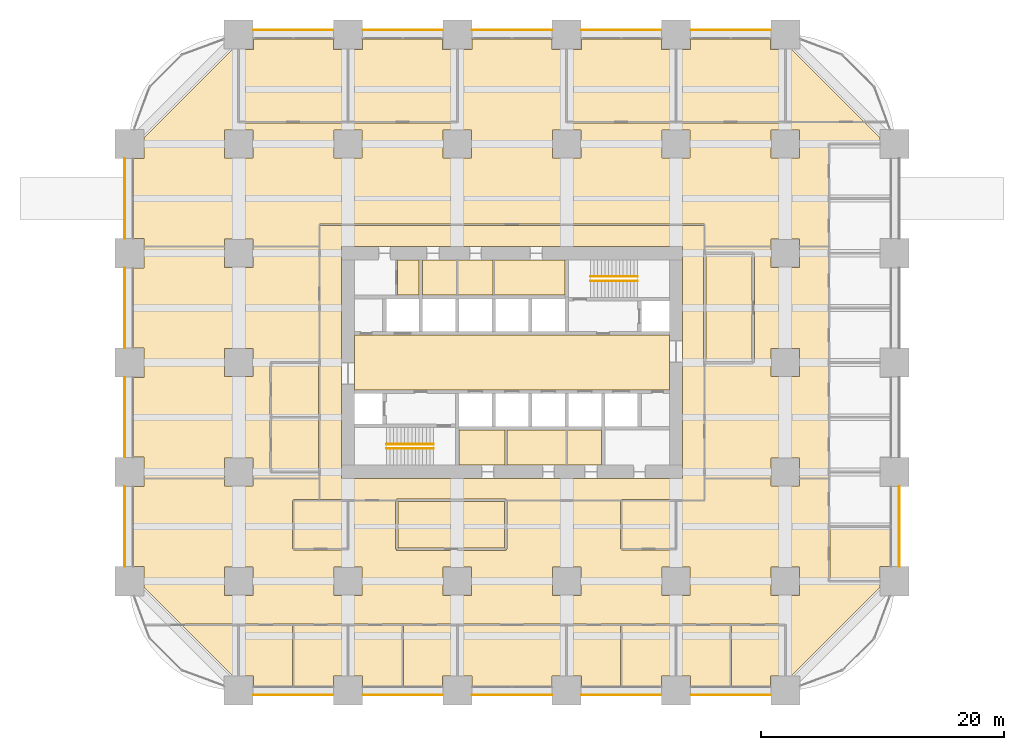
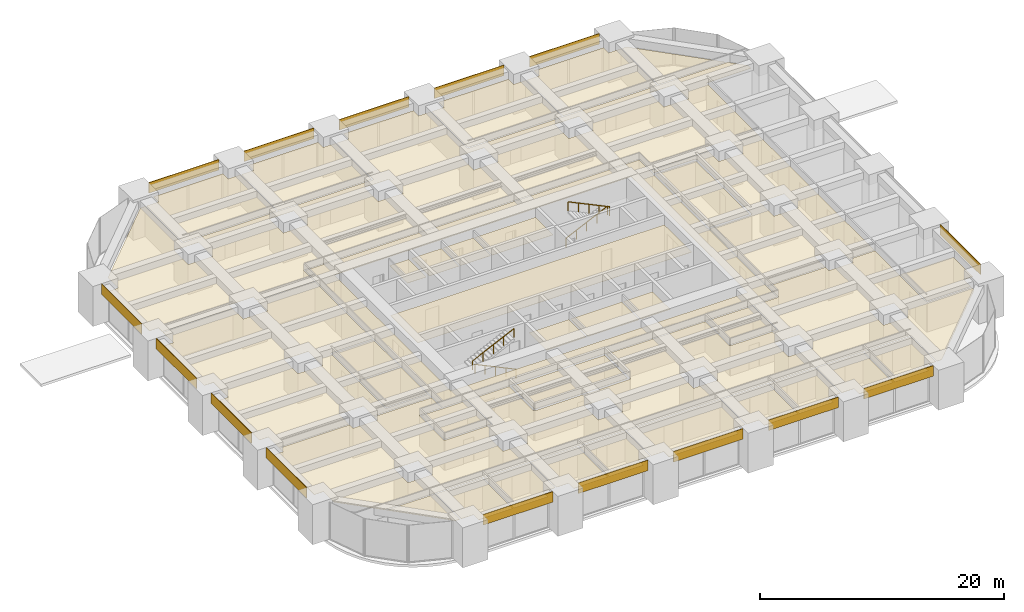
# One storey, part 38 of 39: 50 coverings, 4 railings.
"""IFC4 building model written with IfcOpenShell, lengths in metres."""

from ifc_helpers import new_model, si_unit, direction, frame, frame_2d, origin, origin_2d, place, context, subcontext, project, spatial, polyline, rectangle, circle, outline, extrude, material, layer, layer_set, type_object, element, save


model = new_model("IFC4")

# Units and contexts
model_context = context("Model", 3, precision=1e-05, world=origin(), true_north=direction((0.0, 1.0)))
body_context = subcontext(model_context, "Body", "Model", "MODEL_VIEW")
ifc_project = project(units=[si_unit("LENGTHUNIT", "METRE"), si_unit("AREAUNIT", "SQUARE_METRE"), si_unit("VOLUMEUNIT", "CUBIC_METRE"), si_unit("PLANEANGLEUNIT", "RADIAN"), si_unit("MASSUNIT", "GRAM", prefix="KILO")], contexts=[model_context])

# Site, building, storey
site_placement = place(None, origin())
site = spatial("IfcSite", under=ifc_project, at=site_placement, CompositionType="ELEMENT")
building_placement = place(site_placement, origin())
building = spatial("IfcBuilding", under=site, at=building_placement, Name="Zorevar Civic Tower", CompositionType="ELEMENT")
storey_placement = place(building_placement, frame((0.0, 0.0, 19.800048828125)))
storey = spatial("IfcBuildingStorey", under=building, at=storey_placement, Name="L04", CompositionType="ELEMENT", Elevation=19.800048828125)

# Railings
ifc_material_1 = material(Name="Black steel handrail", Category="steel")
railing_type = type_object("IfcRailingType", Name="Handrail HR1 900", PredefinedType="HANDRAIL", material=ifc_material_1)
railing_1_placement = place(storey_placement, frame((25.050048828125, 19.925048828125, 0.142822265625)))
element("IfcRailing", 1, at=railing_1_placement, inside=storey, type_object=railing_type, Name="Handrail HR1 ST1 L04", PredefinedType="HANDRAIL", context=body_context, shape_type="SweptSolid", body=[
    extrude(circle(Radius=0.02392578125, at=origin_2d()), frame((0.0, 0.0, 0.8759765625), z_axis=(-0.902863652845, 0.0, 0.429926998885), x_axis=(0.0, -1.0, 0.0)), (0.0, 0.0, 1.0), 4.31982421875),
    extrude(circle(Radius=0.02099609375, at=origin_2d()), origin(), (0.0, 0.0, 1.0), 0.851806640625),
    extrude(circle(Radius=0.02099609375, at=origin_2d()), frame((-0.97509765625, 0.0, 0.46435546875)), (0.0, 0.0, 1.0), 0.851806640625),
    extrude(circle(Radius=0.02099609375, at=origin_2d()), frame((-1.9501953125, 0.0, 0.9287109375)), (0.0, 0.0, 1.0), 0.851806640625),
    extrude(circle(Radius=0.02099609375, at=origin_2d()), frame((-2.925048828125, 0.0, 1.392822265625)), (0.0, 0.0, 1.0), 0.851806640625),
    extrude(circle(Radius=0.02099609375, at=origin_2d()), frame((-3.900146484375, 0.0, 1.857177734375)), (0.0, 0.0, 1.0), 0.851806640625),
])
for number, where, name in (
    (2, (21.14990234375, 20.27490234375, 2.142822265625), "Handrail HR1 ST1 L04"),
    (3, (37.949951171875, 34.074951171875, 0.142822265625), "Handrail HR1 ST2 L04"),
):
    element("IfcRailing", number, at=place(storey_placement, frame(where)), inside=storey, type_object=railing_type, Name=name, PredefinedType="HANDRAIL", context=body_context, shape_type="SweptSolid", body=[
        extrude(circle(Radius=0.02392578125, at=origin_2d()), frame((0.0, 0.0, 0.8759765625), z_axis=(0.902863652845, 0.0, 0.429926998885), x_axis=(0.0, 1.0, 0.0)), (0.0, 0.0, 1.0), 4.31982421875),
        extrude(circle(Radius=0.02099609375, at=origin_2d()), origin(), (0.0, 0.0, 1.0), 0.851806640625),
        extrude(circle(Radius=0.02099609375, at=origin_2d()), frame((0.97509765625, 0.0, 0.46435546875)), (0.0, 0.0, 1.0), 0.851806640625),
        extrude(circle(Radius=0.02099609375, at=origin_2d()), frame((1.9501953125, 0.0, 0.9287109375)), (0.0, 0.0, 1.0), 0.851806640625),
        extrude(circle(Radius=0.02099609375, at=origin_2d()), frame((2.925048828125, 0.0, 1.392822265625)), (0.0, 0.0, 1.0), 0.851806640625),
        extrude(circle(Radius=0.02099609375, at=origin_2d()), frame((3.900146484375, 0.0, 1.857177734375)), (0.0, 0.0, 1.0), 0.851806640625),
    ])
railing_2_placement = place(storey_placement, frame((41.85009765625, 33.72509765625, 2.142822265625)))
element("IfcRailing", 4, at=railing_2_placement, inside=storey, type_object=railing_type, Name="Handrail HR1 ST2 L04", PredefinedType="HANDRAIL", context=body_context, shape_type="SweptSolid", body=[
    extrude(circle(Radius=0.02392578125, at=origin_2d()), frame((0.0, 0.0, 0.8759765625), z_axis=(-0.902863652845, 0.0, 0.429926998885), x_axis=(0.0, -1.0, 0.0)), (0.0, 0.0, 1.0), 4.31982421875),
    extrude(circle(Radius=0.02099609375, at=origin_2d()), origin(), (0.0, 0.0, 1.0), 0.851806640625),
    extrude(circle(Radius=0.02099609375, at=origin_2d()), frame((-0.97509765625, 0.0, 0.46435546875)), (0.0, 0.0, 1.0), 0.851806640625),
    extrude(circle(Radius=0.02099609375, at=origin_2d()), frame((-1.9501953125, 0.0, 0.9287109375)), (0.0, 0.0, 1.0), 0.851806640625),
    extrude(circle(Radius=0.02099609375, at=origin_2d()), frame((-2.925048828125, 0.0, 1.392822265625)), (0.0, 0.0, 1.0), 0.851806640625),
    extrude(circle(Radius=0.02099609375, at=origin_2d()), frame((-3.900146484375, 0.0, 1.857177734375)), (0.0, 0.0, 1.0), 0.851806640625),
])

# Coverings
ifc_material_2 = material(Name="Moisture-resistant gypsum board")
ifc_layer_1 = layer(ifc_material_2, 0.012451171875)
ifc_layer_set_1 = layer_set([ifc_layer_1], Name="Moisture-resistant ceiling SC3")
covering_type_1 = type_object("IfcCoveringType", Name="Moisture-resistant ceiling SC3", PredefinedType="CEILING", material=ifc_layer_set_1)
covering_1_placement = place(storey_placement, frame((0.0, 0.0, 3.0)))
element("IfcCovering", 5, at=covering_1_placement, inside=storey, type_object=covering_type_1, Name="Ceiling L04-05", PredefinedType="CEILING", context=body_context, shape_type="SweptSolid", body=[
    extrude(outline(polyline([(30.925048828125, 18.550048828125), (30.925048828125, 21.449951171875), (27.14990234375, 21.449951171875), (27.14990234375, 18.550048828125), (30.925048828125, 18.550048828125)])), origin(), (0.0, 0.0, 1.0), 0.012451171875),
])
covering_2_placement = place(storey_placement, frame((0.0, 0.0, 3.0)))
element("IfcCovering", 6, at=covering_2_placement, inside=storey, type_object=covering_type_1, Name="Ceiling L04-06", PredefinedType="CEILING", context=body_context, shape_type="SweptSolid", body=[
    extrude(outline(polyline([(35.925048828125, 18.550048828125), (35.925048828125, 21.449951171875), (31.074951171875, 21.449951171875), (31.074951171875, 18.550048828125), (35.925048828125, 18.550048828125)])), origin(), (0.0, 0.0, 1.0), 0.012451171875),
])
covering_3_placement = place(storey_placement, frame((0.0, 0.0, 3.0)))
element("IfcCovering", 7, at=covering_3_placement, inside=storey, type_object=covering_type_1, Name="Ceiling L04-07", PredefinedType="CEILING", context=body_context, shape_type="SweptSolid", body=[
    extrude(outline(polyline([(38.85009765625, 18.550048828125), (38.85009765625, 21.449951171875), (36.074951171875, 21.449951171875), (36.074951171875, 18.550048828125), (38.85009765625, 18.550048828125)])), origin(), (0.0, 0.0, 1.0), 0.012451171875),
])
covering_4_placement = place(storey_placement, frame((0.0, 0.0, 3.0)))
element("IfcCovering", 8, at=covering_4_placement, inside=storey, type_object=covering_type_1, Name="Ceiling L04-10", PredefinedType="CEILING", context=body_context, shape_type="SweptSolid", body=[
    extrude(outline(polyline([(26.925048828125, 32.550048828125), (26.925048828125, 35.449951171875), (24.14990234375, 35.449951171875), (24.14990234375, 32.550048828125), (26.925048828125, 32.550048828125)])), origin(), (0.0, 0.0, 1.0), 0.012451171875),
])
ifc_material_3 = material(Name="Black anodised aluminium spandrel panel", Category="aluminium")
ifc_layer_2 = layer(ifc_material_3, 0.050048828125)
ifc_layer_set_2 = layer_set([ifc_layer_2], Name="Spandrel cladding SP1")
covering_type_2 = type_object("IfcCoveringType", Name="Spandrel cladding SP1", PredefinedType="CLADDING", material=ifc_layer_set_2)
for number, where, z_axis, x_axis, name in (
    (9, (10.199951171875, -0.375, 2.949951171875), (0.0, 0.0, 1.0), (1.0, 0.0, 0.0), "Spandrel cladding L05"),
    (10, (19.199951171875, -0.375, 2.949951171875), (0.0, 0.0, 1.0), (1.0, 0.0, 0.0), "Spandrel cladding L05"),
    (11, (28.199951171875, -0.375, 2.949951171875), (0.0, 0.0, 1.0), (1.0, 0.0, 0.0), "Spandrel cladding L05"),
    (12, (37.199951171875, -0.375, 2.949951171875), (0.0, 0.0, 1.0), (1.0, 0.0, 0.0), "Spandrel cladding L05"),
    (13, (46.199951171875, -0.375, 2.949951171875), (0.0, 0.0, 1.0), (1.0, 0.0, 0.0), "Spandrel cladding L05"),
    (14, (10.199951171875, 54.375, 2.949951171875), (0.0, 0.0, 1.0), (1.0, 0.0, 0.0), "Spandrel cladding L05"),
    (15, (19.199951171875, 54.375, 2.949951171875), (0.0, 0.0, 1.0), (1.0, 0.0, 0.0), "Spandrel cladding L05"),
    (16, (28.199951171875, 54.375, 2.949951171875), (0.0, 0.0, 1.0), (1.0, 0.0, 0.0), "Spandrel cladding L05"),
    (17, (37.199951171875, 54.375, 2.949951171875), (0.0, 0.0, 1.0), (1.0, 0.0, 0.0), "Spandrel cladding L05"),
    (18, (46.199951171875, 54.375, 2.949951171875), (0.0, 0.0, 1.0), (1.0, 0.0, 0.0), "Spandrel cladding L05"),
    (19, (-0.375, 10.199951171875, 2.949951171875), (0.0, 0.0, 1.0), (0.0, 1.0, 0.0), "Spandrel cladding L05"),
    (20, (-0.375, 19.199951171875, 2.949951171875), (0.0, 0.0, 1.0), (0.0, 1.0, 0.0), "Spandrel cladding L05"),
    (21, (-0.375, 28.199951171875, 2.949951171875), (0.0, 0.0, 1.0), (0.0, 1.0, 0.0), "Spandrel cladding L05"),
    (22, (-0.375, 37.199951171875, 2.949951171875), (0.0, 0.0, 1.0), (0.0, 1.0, 0.0), "Spandrel cladding L05"),
    (23, (63.375, 10.199951171875, 2.949951171875), (0.0, 0.0, 1.0), (0.0, 1.0, 0.0), "Spandrel cladding L05"),
):
    element("IfcCovering", number, at=place(storey_placement, frame(where, z_axis=z_axis, x_axis=x_axis)), inside=storey, type_object=covering_type_2, Name=name, PredefinedType="CLADDING", context=body_context, shape_type="SweptSolid", body=[
        extrude(rectangle(XDim=6.60009765625, YDim=0.050048828125, at=frame_2d((3.300048828125, 0.0))), origin(), (0.0, 0.0, 1.0), 1.050048828125),
    ])
ifc_material_4 = material(Name="Mineral fibre tiles on a concealed grid")
ifc_layer_3 = layer(ifc_material_4, 0.02001953125)
ifc_layer_set_3 = layer_set([ifc_layer_3], Name="Suspended ceiling SC1")
covering_type_3 = type_object("IfcCoveringType", Name="Suspended ceiling SC1", PredefinedType="CEILING", material=ifc_layer_set_3)
covering_5_placement = place(storey_placement, frame((0.0, 0.0, 3.0)))
element("IfcCovering", 24, at=covering_5_placement, inside=storey, type_object=covering_type_3, Name="Ceiling L04-08", PredefinedType="CEILING", context=body_context, shape_type="SweptSolid", body=[
    extrude(outline(polyline([(35.85009765625, 32.550048828125), (35.85009765625, 35.449951171875), (30.06005859375, 35.449951171875), (30.06005859375, 32.550048828125), (35.85009765625, 32.550048828125)])), origin(), (0.0, 0.0, 1.0), 0.02001953125),
])
covering_6_placement = place(storey_placement, frame((0.0, 0.0, 3.0)))
element("IfcCovering", 25, at=covering_6_placement, inside=storey, type_object=covering_type_3, Name="Ceiling L04-09", PredefinedType="CEILING", context=body_context, shape_type="SweptSolid", body=[
    extrude(outline(polyline([(29.93994140625, 32.550048828125), (29.93994140625, 35.449951171875), (27.074951171875, 35.449951171875), (27.074951171875, 32.550048828125), (29.93994140625, 32.550048828125)])), origin(), (0.0, 0.0, 1.0), 0.02001953125),
])
covering_7_placement = place(storey_placement, frame((0.0, 0.0, 3.0)))
element("IfcCovering", 26, at=covering_7_placement, inside=storey, type_object=covering_type_3, Name="Ceiling L04-12", PredefinedType="CEILING", context=body_context, shape_type="SweptSolid", body=[
    extrude(outline(polyline([(23.85009765625, 32.550048828125), (23.85009765625, 35.449951171875), (22.06005859375, 35.449951171875), (22.06005859375, 32.550048828125), (23.85009765625, 32.550048828125)])), origin(), (0.0, 0.0, 1.0), 0.02001953125),
])
covering_8_placement = place(storey_placement, frame((0.0, 0.0, 3.0)))
element("IfcCovering", 27, at=covering_8_placement, inside=storey, type_object=covering_type_3, Name="Ceiling L04-16", PredefinedType="CEILING", context=body_context, shape_type="SweptSolid", body=[
    extrude(outline(polyline([(44.449951171875, 24.75), (44.449951171875, 29.25), (18.550048828125, 29.25), (18.550048828125, 24.75), (44.449951171875, 24.75)])), origin(), (0.0, 0.0, 1.0), 0.02001953125),
])
covering_9_placement = place(storey_placement, frame((0.0, 0.0, 3.0)))
element("IfcCovering", 28, at=covering_9_placement, inside=storey, type_object=covering_type_3, Name="Ceiling L04-17", PredefinedType="CEILING", context=body_context, shape_type="SweptSolid", body=[
    extrude(outline(polyline([(13.43994140625, 5.340087890625), (13.43994140625, 0.35009765625), (10.2099609375, 0.35009765625), (10.2099609375, 1.2099609375), (9.06005859375, 1.2099609375), (9.06005859375, 5.340087890625), (13.43994140625, 5.340087890625)])), origin(), (0.0, 0.0, 1.0), 0.02001953125),
])
covering_10_placement = place(storey_placement, frame((0.0, 0.0, 3.0)))
element("IfcCovering", 29, at=covering_10_placement, inside=storey, type_object=covering_type_3, Name="Ceiling L04-18", PredefinedType="CEILING", context=body_context, shape_type="SweptSolid", body=[
    extrude(outline(polyline([(17.93994140625, 5.340087890625), (17.93994140625, 1.2099609375), (16.7900390625, 1.2099609375), (16.7900390625, 0.35009765625), (13.56005859375, 0.35009765625), (13.56005859375, 5.340087890625), (17.93994140625, 5.340087890625)])), origin(), (0.0, 0.0, 1.0), 0.02001953125),
])
covering_11_placement = place(storey_placement, frame((0.0, 0.0, 3.0)))
element("IfcCovering", 30, at=covering_11_placement, inside=storey, type_object=covering_type_3, Name="Ceiling L04-19", PredefinedType="CEILING", context=body_context, shape_type="SweptSolid", body=[
    extrude(outline(polyline([(22.43994140625, 5.340087890625), (22.43994140625, 0.35009765625), (19.2099609375, 0.35009765625), (19.2099609375, 1.2099609375), (18.06005859375, 1.2099609375), (18.06005859375, 5.340087890625), (22.43994140625, 5.340087890625)])), origin(), (0.0, 0.0, 1.0), 0.02001953125),
])
covering_12_placement = place(storey_placement, frame((0.0, 0.0, 3.0)))
element("IfcCovering", 31, at=covering_12_placement, inside=storey, type_object=covering_type_3, Name="Ceiling L04-20", PredefinedType="CEILING", context=body_context, shape_type="SweptSolid", body=[
    extrude(outline(polyline([(26.93994140625, 5.340087890625), (26.93994140625, 1.2099609375), (25.7900390625, 1.2099609375), (25.7900390625, 0.35009765625), (22.56005859375, 0.35009765625), (22.56005859375, 5.340087890625), (26.93994140625, 5.340087890625)])), origin(), (0.0, 0.0, 1.0), 0.02001953125),
])
covering_13_placement = place(storey_placement, frame((0.0, 0.0, 3.0)))
element("IfcCovering", 32, at=covering_13_placement, inside=storey, type_object=covering_type_3, Name="Ceiling L04-21", PredefinedType="CEILING", context=body_context, shape_type="SweptSolid", body=[
    extrude(outline(polyline([(28.2099609375, 0.35009765625), (28.2099609375, 1.2099609375), (27.06005859375, 1.2099609375), (27.06005859375, 5.340087890625), (35.93994140625, 5.340087890625), (35.93994140625, 1.2099609375), (34.7900390625, 1.2099609375), (34.7900390625, 0.35009765625), (28.2099609375, 0.35009765625)])), origin(), (0.0, 0.0, 1.0), 0.02001953125),
])
covering_14_placement = place(storey_placement, frame((0.0, 0.0, 3.0)))
element("IfcCovering", 33, at=covering_14_placement, inside=storey, type_object=covering_type_3, Name="Ceiling L04-22", PredefinedType="CEILING", context=body_context, shape_type="SweptSolid", body=[
    extrude(outline(polyline([(40.43994140625, 5.340087890625), (40.43994140625, 0.35009765625), (37.2099609375, 0.35009765625), (37.2099609375, 1.2099609375), (36.06005859375, 1.2099609375), (36.06005859375, 5.340087890625), (40.43994140625, 5.340087890625)])), origin(), (0.0, 0.0, 1.0), 0.02001953125),
])
covering_15_placement = place(storey_placement, frame((0.0, 0.0, 3.0)))
element("IfcCovering", 34, at=covering_15_placement, inside=storey, type_object=covering_type_3, Name="Ceiling L04-23", PredefinedType="CEILING", context=body_context, shape_type="SweptSolid", body=[
    extrude(outline(polyline([(44.93994140625, 5.340087890625), (44.93994140625, 1.2099609375), (43.7900390625, 1.2099609375), (43.7900390625, 0.35009765625), (40.56005859375, 0.35009765625), (40.56005859375, 5.340087890625), (44.93994140625, 5.340087890625)])), origin(), (0.0, 0.0, 1.0), 0.02001953125),
])
covering_16_placement = place(storey_placement, frame((0.0, 0.0, 3.0)))
element("IfcCovering", 35, at=covering_16_placement, inside=storey, type_object=covering_type_3, Name="Ceiling L04-24", PredefinedType="CEILING", context=body_context, shape_type="SweptSolid", body=[
    extrude(outline(polyline([(49.43994140625, 5.340087890625), (49.43994140625, 0.35009765625), (46.2099609375, 0.35009765625), (46.2099609375, 1.2099609375), (45.06005859375, 1.2099609375), (45.06005859375, 5.340087890625), (49.43994140625, 5.340087890625)])), origin(), (0.0, 0.0, 1.0), 0.02001953125),
])
covering_17_placement = place(storey_placement, frame((0.0, 0.0, 3.0)))
element("IfcCovering", 36, at=covering_17_placement, inside=storey, type_object=covering_type_3, Name="Ceiling L04-25", PredefinedType="CEILING", context=body_context, shape_type="SweptSolid", body=[
    extrude(outline(polyline([(53.93994140625, 5.340087890625), (53.93994140625, 1.2099609375), (52.7900390625, 1.2099609375), (52.7900390625, 0.35009765625), (49.56005859375, 0.35009765625), (49.56005859375, 5.340087890625), (53.93994140625, 5.340087890625)])), origin(), (0.0, 0.0, 1.0), 0.02001953125),
])
covering_18_placement = place(storey_placement, frame((0.0, 0.0, 3.0)))
element("IfcCovering", 37, at=covering_18_placement, inside=storey, type_object=covering_type_3, Name="Ceiling L04-26", PredefinedType="CEILING", context=body_context, shape_type="SweptSolid", body=[
    extrude(outline(polyline([(8.93994140625, 5.340087890625), (8.93994140625, 1.2099609375), (8.4970703125, 1.2099609375), (4.3671875, 5.340087890625), (8.93994140625, 5.340087890625)])), origin(), (0.0, 0.0, 1.0), 0.02001953125),
])
covering_19_placement = place(storey_placement, frame((0.0, 0.0, 3.0)))
element("IfcCovering", 38, at=covering_19_placement, inside=storey, type_object=covering_type_3, Name="Ceiling L04-27", PredefinedType="CEILING", context=body_context, shape_type="SweptSolid", body=[
    extrude(outline(polyline([(22.10009765625, 15.550048828125), (30.89990234375, 15.550048828125), (30.89990234375, 11.75), (22.10009765625, 11.75), (22.10009765625, 15.550048828125)])), origin(), (0.0, 0.0, 1.0), 0.02001953125),
])
covering_20_placement = place(storey_placement, frame((0.0, 0.0, 3.0)))
element("IfcCovering", 39, at=covering_20_placement, inside=storey, type_object=covering_type_3, Name="Ceiling L04-28", PredefinedType="CEILING", context=body_context, shape_type="SweptSolid", body=[
    extrude(outline(polyline([(40.56005859375, 15.590087890625), (44.93994140625, 15.590087890625), (44.93994140625, 11.7099609375), (40.56005859375, 11.7099609375), (40.56005859375, 15.590087890625)])), origin(), (0.0, 0.0, 1.0), 0.02001953125),
])
covering_21_placement = place(storey_placement, frame((0.0, 0.0, 3.0)))
element("IfcCovering", 40, at=covering_21_placement, inside=storey, type_object=covering_type_3, Name="Ceiling L04-29", PredefinedType="CEILING", context=body_context, shape_type="SweptSolid", body=[
    extrude(outline(polyline([(17.93994140625, 15.590087890625), (17.93994140625, 11.7099609375), (13.56005859375, 11.7099609375), (13.56005859375, 15.590087890625), (17.93994140625, 15.590087890625)])), origin(), (0.0, 0.0, 1.0), 0.02001953125),
])
covering_22_placement = place(storey_placement, frame((0.0, 0.0, 3.0)))
element("IfcCovering", 41, at=covering_22_placement, inside=storey, type_object=covering_type_3, Name="Ceiling L04-30", PredefinedType="CEILING", context=body_context, shape_type="SweptSolid", body=[
    extrude(outline(polyline([(15.590087890625, 22.56005859375), (11.7099609375, 22.56005859375), (11.7099609375, 26.93994140625), (15.590087890625, 26.93994140625), (15.590087890625, 22.56005859375)])), origin(), (0.0, 0.0, 1.0), 0.02001953125),
])
covering_23_placement = place(storey_placement, frame((0.0, 0.0, 3.0)))
element("IfcCovering", 42, at=covering_23_placement, inside=storey, type_object=covering_type_3, Name="Ceiling L04-31", PredefinedType="CEILING", context=body_context, shape_type="SweptSolid", body=[
    extrude(outline(polyline([(10.2099609375, 52.7900390625), (10.2099609375, 53.64990234375), (16.7900390625, 53.64990234375), (16.7900390625, 52.7900390625), (17.93994140625, 52.7900390625), (17.93994140625, 46.860107421875), (9.06005859375, 46.860107421875), (9.06005859375, 52.7900390625), (10.2099609375, 52.7900390625)])), origin(), (0.0, 0.0, 1.0), 0.02001953125),
])
covering_24_placement = place(storey_placement, frame((0.0, 0.0, 3.0)))
element("IfcCovering", 43, at=covering_24_placement, inside=storey, type_object=covering_type_3, Name="Ceiling L04-32", PredefinedType="CEILING", context=body_context, shape_type="SweptSolid", body=[
    extrude(outline(polyline([(19.2099609375, 52.7900390625), (19.2099609375, 53.64990234375), (25.7900390625, 53.64990234375), (25.7900390625, 52.7900390625), (26.93994140625, 52.7900390625), (26.93994140625, 46.860107421875), (18.06005859375, 46.860107421875), (18.06005859375, 52.7900390625), (19.2099609375, 52.7900390625)])), origin(), (0.0, 0.0, 1.0), 0.02001953125),
])
covering_25_placement = place(storey_placement, frame((0.0, 0.0, 3.0)))
element("IfcCovering", 44, at=covering_25_placement, inside=storey, type_object=covering_type_3, Name="Ceiling L04-33", PredefinedType="CEILING", context=body_context, shape_type="SweptSolid", body=[
    extrude(outline(polyline([(37.2099609375, 52.7900390625), (37.2099609375, 53.64990234375), (43.7900390625, 53.64990234375), (43.7900390625, 52.7900390625), (44.93994140625, 52.7900390625), (44.93994140625, 46.860107421875), (36.06005859375, 46.860107421875), (36.06005859375, 52.7900390625), (37.2099609375, 52.7900390625)])), origin(), (0.0, 0.0, 1.0), 0.02001953125),
])
covering_26_placement = place(storey_placement, frame((0.0, 0.0, 3.0)))
element("IfcCovering", 45, at=covering_26_placement, inside=storey, type_object=covering_type_3, Name="Ceiling L04-34", PredefinedType="CEILING", context=body_context, shape_type="SweptSolid", body=[
    extrude(outline(polyline([(46.2099609375, 52.7900390625), (46.2099609375, 53.64990234375), (52.7900390625, 53.64990234375), (52.7900390625, 52.7900390625), (53.93994140625, 52.7900390625), (53.93994140625, 46.860107421875), (45.06005859375, 46.860107421875), (45.06005859375, 52.7900390625), (46.2099609375, 52.7900390625)])), origin(), (0.0, 0.0, 1.0), 0.02001953125),
])
covering_27_placement = place(storey_placement, frame((0.0, 0.0, 3.0)))
element("IfcCovering", 46, at=covering_27_placement, inside=storey, type_object=covering_type_3, Name="Ceiling L04-35", PredefinedType="CEILING", context=body_context, shape_type="SweptSolid", body=[
    extrude(outline(polyline([(11.7099609375, 18.06005859375), (11.7099609375, 22.43994140625), (15.590087890625, 22.43994140625), (15.590087890625, 18.06005859375), (11.7099609375, 18.06005859375)])), origin(), (0.0, 0.0, 1.0), 0.02001953125),
])
covering_28_placement = place(storey_placement, frame((0.0, 0.0, 3.0)))
element("IfcCovering", 47, at=covering_28_placement, inside=storey, type_object=covering_type_3, Name="Ceiling L04-36", PredefinedType="CEILING", context=body_context, shape_type="SweptSolid", body=[
    extrude(outline(polyline([(57.659912109375, 13.43994140625), (62.64990234375, 13.43994140625), (62.64990234375, 10.2099609375), (61.7900390625, 10.2099609375), (61.7900390625, 9.06005859375), (57.659912109375, 9.06005859375), (57.659912109375, 13.43994140625)])), origin(), (0.0, 0.0, 1.0), 0.02001953125),
])
covering_29_placement = place(storey_placement, frame((0.0, 0.0, 3.0)))
element("IfcCovering", 48, at=covering_29_placement, inside=storey, type_object=covering_type_3, Name="Ceiling L04-44", PredefinedType="CEILING", context=body_context, shape_type="SweptSolid", body=[
    extrude(outline(polyline([(47.449951171875, 27.10009765625), (47.449951171875, 35.89990234375), (51.25, 35.89990234375), (51.25, 27.10009765625), (47.449951171875, 27.10009765625)])), origin(), (0.0, 0.0, 1.0), 0.02001953125),
])
covering_30_placement = place(storey_placement, frame((0.0, 0.0, 3.0)))
element("IfcCovering", 49, at=covering_30_placement, inside=storey, type_object=covering_type_3, Name="Ceiling L04-45", PredefinedType="CEILING", context=body_context, shape_type="SweptSolid", body=[
    extrude(outline(polyline([(54.06005859375, 46.85009765625), (54.06005859375, 52.7900390625), (54.5029296875, 52.7900390625), (60.44287109375, 46.85009765625), (54.06005859375, 46.85009765625)])), origin(), (0.0, 0.0, 1.0), 0.02001953125),
])
covering_31_placement = place(storey_placement, frame((0.0, 0.0, 3.0)))
element("IfcCovering", 50, at=covering_31_placement, inside=storey, type_object=covering_type_3, Name="Ceiling L04-46", PredefinedType="CEILING", context=body_context, shape_type="SweptSolid", body=[
    extrude(outline(polyline([(15.699951171875, 38.300048828125), (47.300048828125, 38.300048828125), (47.300048828125, 36.0), (47.25, 36.0), (47.25, 27.0), (47.300048828125, 27.0), (47.300048828125, 15.699951171875), (45.0, 15.699951171875), (45.0, 15.7099609375), (40.5, 15.7099609375), (40.5, 15.699951171875), (31.0, 15.699951171875), (31.0, 15.75), (22.0, 15.75), (22.0, 15.699951171875), (18.0, 15.699951171875), (18.0, 15.7099609375), (15.699951171875, 15.7099609375), (15.699951171875, 18.0), (15.7099609375, 18.0), (15.7099609375, 27.0), (15.699951171875, 27.0), (15.699951171875, 38.300048828125)]), holes=[polyline([(45.550048828125, 17.449951171875), (45.550048828125, 36.550048828125), (17.449951171875, 36.550048828125), (17.449951171875, 17.449951171875), (45.550048828125, 17.449951171875)])]), origin(), (0.0, 0.0, 1.0), 0.02001953125),
])
covering_32_placement = place(storey_placement, frame((0.0, 0.0, 3.0)))
element("IfcCovering", 51, at=covering_32_placement, inside=storey, type_object=covering_type_3, Name="Ceiling L04-47", PredefinedType="CEILING", context=body_context, shape_type="SweptSolid", body=[
    extrude(outline(polyline([(55.159912109375, 19.159912109375), (52.840087890625, 19.159912109375), (52.840087890625, 17.5), (47.39990234375, 17.5), (47.39990234375, 26.89990234375), (51.35009765625, 26.89990234375), (51.35009765625, 27.0), (51.449951171875, 27.0), (51.449951171875, 36.0), (51.35009765625, 36.0), (51.35009765625, 36.10009765625), (47.39990234375, 36.10009765625), (47.39990234375, 36.5), (52.840087890625, 36.5), (52.840087890625, 34.840087890625), (55.159912109375, 34.840087890625), (55.159912109375, 36.5), (57.5400390625, 36.5), (57.5400390625, 17.5), (55.159912109375, 17.5), (55.159912109375, 19.159912109375)]), holes=[polyline([(52.840087890625, 28.159912109375), (52.840087890625, 25.840087890625), (55.159912109375, 25.840087890625), (55.159912109375, 28.159912109375), (52.840087890625, 28.159912109375)])]), origin(), (0.0, 0.0, 1.0), 0.02001953125),
])
covering_33_placement = place(storey_placement, frame((0.0, 0.0, 3.0)))
element("IfcCovering", 52, at=covering_33_placement, inside=storey, type_object=covering_type_3, Name="Ceiling L04-48", PredefinedType="CEILING", context=body_context, shape_type="SweptSolid", body=[
    extrude(outline(polyline([(61.7900390625, 45.5029296875), (61.7900390625, 45.06005859375), (57.60009765625, 45.06005859375), (57.60009765625, 45.0), (57.5400390625, 45.0), (57.5400390625, 36.60009765625), (55.159912109375, 36.60009765625), (55.159912109375, 37.159912109375), (52.840087890625, 37.159912109375), (52.840087890625, 36.60009765625), (47.39990234375, 36.60009765625), (47.39990234375, 38.35009765625), (47.35009765625, 38.35009765625), (47.35009765625, 38.39990234375), (15.64990234375, 38.39990234375), (15.64990234375, 38.35009765625), (15.60009765625, 38.35009765625), (15.60009765625, 36.60009765625), (10.159912109375, 36.60009765625), (10.159912109375, 37.159912109375), (7.840087890625, 37.159912109375), (7.840087890625, 36.60009765625), (1.2099609375, 36.60009765625), (1.2099609375, 37.2099609375), (0.35009765625, 37.2099609375), (0.35009765625, 43.7900390625), (1.2099609375, 43.7900390625), (1.2099609375, 45.5029296875), (8.4970703125, 52.7900390625), (8.93994140625, 52.7900390625), (8.93994140625, 46.800048828125), (9.0, 46.800048828125), (9.0, 46.739990234375), (27.0, 46.739990234375), (27.0, 46.800048828125), (27.06005859375, 46.800048828125), (27.06005859375, 52.7900390625), (28.2099609375, 52.7900390625), (28.2099609375, 53.64990234375), (34.7900390625, 53.64990234375), (34.7900390625, 52.7900390625), (35.93994140625, 52.7900390625), (35.93994140625, 46.800048828125), (36.0, 46.800048828125), (36.0, 46.739990234375), (54.0, 46.739990234375), (54.0, 46.75), (60.54296875, 46.75), (61.7900390625, 45.5029296875)]), holes=[polyline([(10.159912109375, 46.159912109375), (7.840087890625, 46.159912109375), (7.840087890625, 43.840087890625), (10.159912109375, 43.840087890625), (10.159912109375, 46.159912109375)]), polyline([(16.840087890625, 43.840087890625), (19.159912109375, 43.840087890625), (19.159912109375, 46.159912109375), (16.840087890625, 46.159912109375), (16.840087890625, 43.840087890625)]), polyline([(25.840087890625, 46.159912109375), (25.840087890625, 43.840087890625), (28.159912109375, 43.840087890625), (28.159912109375, 46.159912109375), (25.840087890625, 46.159912109375)]), polyline([(37.159912109375, 43.840087890625), (37.159912109375, 46.159912109375), (34.840087890625, 46.159912109375), (34.840087890625, 43.840087890625), (37.159912109375, 43.840087890625)]), polyline([(43.840087890625, 46.159912109375), (43.840087890625, 43.840087890625), (46.159912109375, 43.840087890625), (46.159912109375, 46.159912109375), (43.840087890625, 46.159912109375)]), polyline([(55.159912109375, 43.840087890625), (55.159912109375, 46.159912109375), (52.840087890625, 46.159912109375), (52.840087890625, 43.840087890625), (55.159912109375, 43.840087890625)])]), origin(), (0.0, 0.0, 1.0), 0.02001953125),
])
covering_34_placement = place(storey_placement, frame((0.0, 0.0, 3.0)))
element("IfcCovering", 53, at=covering_34_placement, inside=storey, type_object=covering_type_3, Name="Ceiling L04-49", PredefinedType="CEILING", context=body_context, shape_type="SweptSolid", body=[
    extrude(outline(polyline([(22.0, 11.64990234375), (22.0, 11.550048828125), (31.0, 11.550048828125), (31.0, 11.64990234375), (31.10009765625, 11.64990234375), (31.10009765625, 15.60009765625), (40.43994140625, 15.60009765625), (40.43994140625, 11.64990234375), (40.5, 11.64990234375), (40.5, 11.590087890625), (45.0, 11.590087890625), (45.0, 11.64990234375), (45.06005859375, 11.64990234375), (45.06005859375, 15.60009765625), (47.35009765625, 15.60009765625), (47.35009765625, 15.64990234375), (47.39990234375, 15.64990234375), (47.39990234375, 17.39990234375), (52.840087890625, 17.39990234375), (52.840087890625, 16.840087890625), (55.159912109375, 16.840087890625), (55.159912109375, 17.39990234375), (57.5400390625, 17.39990234375), (57.5400390625, 9.0), (57.60009765625, 9.0), (57.60009765625, 8.93994140625), (61.7900390625, 8.93994140625), (61.7900390625, 8.4970703125), (54.5029296875, 1.2099609375), (54.06005859375, 1.2099609375), (54.06005859375, 5.39990234375), (54.0, 5.39990234375), (54.0, 5.4599609375), (4.2470703125, 5.4599609375), (1.2099609375, 8.4970703125), (1.2099609375, 10.2099609375), (0.35009765625, 10.2099609375), (0.35009765625, 16.7900390625), (1.2099609375, 16.7900390625), (1.2099609375, 17.39990234375), (7.840087890625, 17.39990234375), (7.840087890625, 16.840087890625), (10.159912109375, 16.840087890625), (10.159912109375, 17.39990234375), (15.60009765625, 17.39990234375), (15.60009765625, 15.7099609375), (13.5, 15.7099609375), (13.5, 15.64990234375), (13.43994140625, 15.64990234375), (13.43994140625, 11.64990234375), (13.5, 11.64990234375), (13.5, 11.590087890625), (18.0, 11.590087890625), (18.0, 11.64990234375), (18.06005859375, 11.64990234375), (18.06005859375, 15.60009765625), (21.89990234375, 15.60009765625), (21.89990234375, 11.64990234375), (22.0, 11.64990234375)]), holes=[polyline([(10.159912109375, 7.840087890625), (10.159912109375, 10.159912109375), (7.840087890625, 10.159912109375), (7.840087890625, 7.840087890625), (10.159912109375, 7.840087890625)]), polyline([(16.840087890625, 10.159912109375), (16.840087890625, 7.840087890625), (19.159912109375, 7.840087890625), (19.159912109375, 10.159912109375), (16.840087890625, 10.159912109375)]), polyline([(28.159912109375, 10.159912109375), (25.840087890625, 10.159912109375), (25.840087890625, 7.840087890625), (28.159912109375, 7.840087890625), (28.159912109375, 10.159912109375)]), polyline([(37.159912109375, 7.840087890625), (37.159912109375, 10.159912109375), (34.840087890625, 10.159912109375), (34.840087890625, 7.840087890625), (37.159912109375, 7.840087890625)]), polyline([(43.840087890625, 7.840087890625), (46.159912109375, 7.840087890625), (46.159912109375, 10.159912109375), (43.840087890625, 10.159912109375), (43.840087890625, 7.840087890625)]), polyline([(55.159912109375, 10.159912109375), (52.840087890625, 10.159912109375), (52.840087890625, 7.840087890625), (55.159912109375, 7.840087890625), (55.159912109375, 10.159912109375)])]), origin(), (0.0, 0.0, 1.0), 0.02001953125),
])
covering_35_placement = place(storey_placement, frame((0.0, 0.0, 3.0)))
element("IfcCovering", 54, at=covering_35_placement, inside=storey, type_object=covering_type_3, Name="Ceiling L04-50", PredefinedType="CEILING", context=body_context, shape_type="SweptSolid", body=[
    extrude(outline(polyline([(10.159912109375, 19.159912109375), (7.840087890625, 19.159912109375), (7.840087890625, 17.5), (1.2099609375, 17.5), (1.2099609375, 19.2099609375), (0.35009765625, 19.2099609375), (0.35009765625, 25.7900390625), (1.2099609375, 25.7900390625), (1.2099609375, 28.2099609375), (0.35009765625, 28.2099609375), (0.35009765625, 34.7900390625), (1.2099609375, 34.7900390625), (1.2099609375, 36.5), (7.840087890625, 36.5), (7.840087890625, 34.840087890625), (10.159912109375, 34.840087890625), (10.159912109375, 36.5), (15.60009765625, 36.5), (15.60009765625, 27.06005859375), (11.64990234375, 27.06005859375), (11.64990234375, 27.0), (11.590087890625, 27.0), (11.590087890625, 18.0), (11.64990234375, 18.0), (11.64990234375, 17.93994140625), (15.60009765625, 17.93994140625), (15.60009765625, 17.5), (10.159912109375, 17.5), (10.159912109375, 19.159912109375)]), holes=[polyline([(7.840087890625, 28.159912109375), (7.840087890625, 25.840087890625), (10.159912109375, 25.840087890625), (10.159912109375, 28.159912109375), (7.840087890625, 28.159912109375)])]), origin(), (0.0, 0.0, 1.0), 0.02001953125),
])

save(model, "model.ifc")
